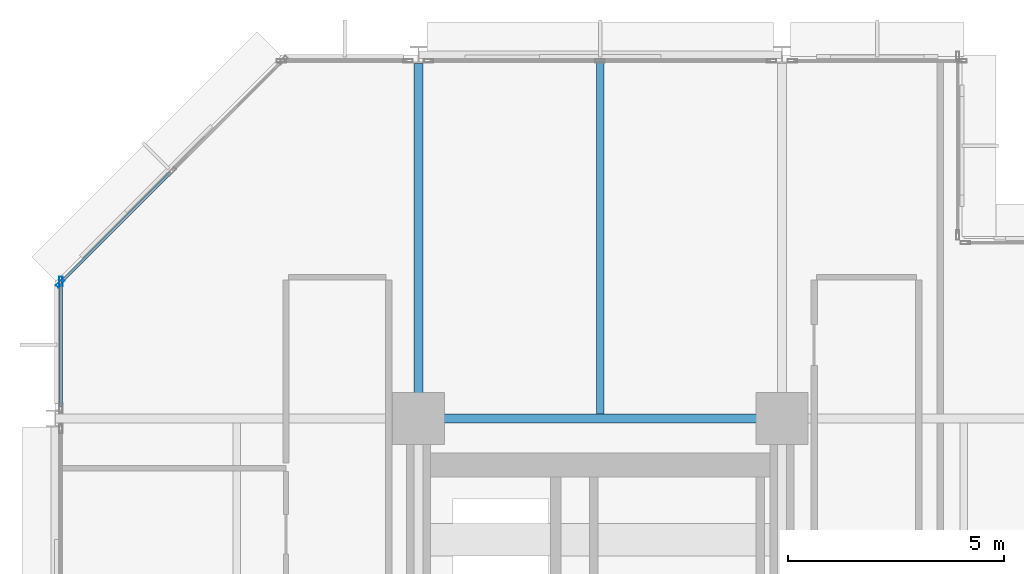
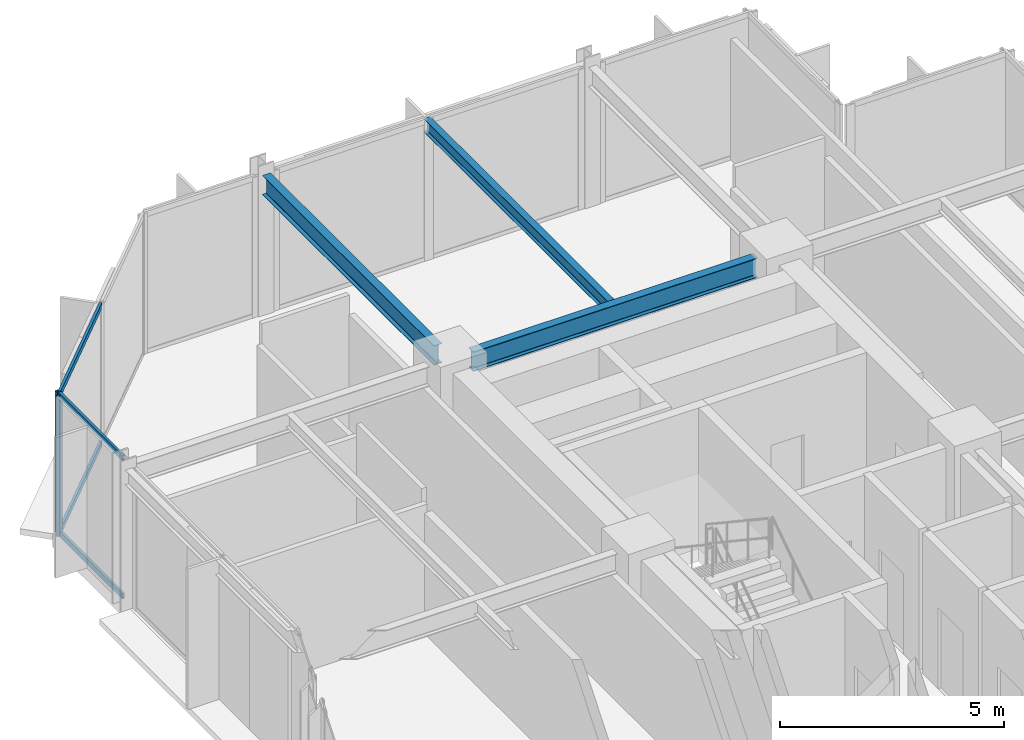
# One storey, part 13 of 25: 6 members, 3 beams, 2 elements without a shape of their own.
"""IFC4 building model written with IfcOpenShell, lengths in metres."""

from ifc_helpers import new_model, si_unit, direction, frame, origin, origin_2d, place, context, subcontext, project, spatial, hollow_rectangle, i_section, extrude, material, layer, layer_set, material_profile, profile_set, type_object, element, aggregate, save


model = new_model("IFC4")

# Units and contexts
model_context = context("Model", 3, precision=1e-05, world=origin(), true_north=direction((0.0, 1.0)))
body_context = subcontext(model_context, "Body", "Model", "MODEL_VIEW")
ifc_project = project(units=[si_unit("LENGTHUNIT", "METRE"), si_unit("AREAUNIT", "SQUARE_METRE"), si_unit("VOLUMEUNIT", "CUBIC_METRE"), si_unit("PLANEANGLEUNIT", "RADIAN"), si_unit("MASSUNIT", "GRAM", prefix="KILO")], contexts=[model_context])

# Site, building, storey
site_placement = place(None, origin())
site = spatial("IfcSite", under=ifc_project, at=site_placement, CompositionType="ELEMENT")
building_placement = place(site_placement, origin())
building = spatial("IfcBuilding", under=site, at=building_placement, Name="Nerrivon Quay Data Exchange", CompositionType="ELEMENT")
storey_placement = place(building_placement, frame((0.0, 0.0, 113.10009765625)))
storey = spatial("IfcBuildingStorey", under=building, at=storey_placement, Name="L26", CompositionType="ELEMENT", Elevation=113.10009765625)

# Beams
ifc_material_1 = material(Name="Steel Grade 350", Category="steel")
ifc_material_profile_1 = material_profile(ifc_material_1, i_section(OverallWidth=0.208984375, OverallDepth=0.532958984375, WebThickness=0.01025390625, FlangeThickness=0.015625, FilletRadius=0.013916015625, at=origin_2d()), Name="530UB92.4")
ifc_profile_set_1 = profile_set([ifc_material_profile_1], Name="Steel Grade 350")
beam_type_1 = type_object("IfcBeamType", Name="BM-G3-530UB92", PredefinedType="BEAM", material=ifc_profile_set_1)
beam_1_placement = place(storey_placement, frame((8.93994140625, 42.0, 3.558349609375), z_axis=(1.0, 0.0, 0.0), x_axis=(0.0, 1.0, 0.0)))
element("IfcBeam", 1, at=beam_1_placement, inside=storey, type_object=beam_type_1, Name="L26 EW Girder Y=42.0 (8.4..16.8)", PredefinedType="BEAM", context=body_context, shape_type="SweptSolid", body=[
    extrude(i_section(OverallWidth=0.208984375, OverallDepth=0.532958984375, WebThickness=0.01025390625, FlangeThickness=0.015625, FilletRadius=0.013916015625, at=origin_2d()), origin(), (0.0, 0.0, 1.0), 7.320068359375),
])
ifc_material_profile_2 = material_profile(ifc_material_1, i_section(OverallWidth=0.208984375, OverallDepth=0.528076171875, WebThickness=0.009521484375, FlangeThickness=0.01318359375, FilletRadius=0.013916015625, at=origin_2d()), Name="530UB82.0")
ifc_profile_set_2 = profile_set([ifc_material_profile_2], Name="Steel Grade 350")
beam_type_2 = type_object("IfcBeamType", Name="BM-G4-530UB82", PredefinedType="BEAM", material=ifc_profile_set_2)
beam_2_placement = place(storey_placement, frame((8.39990234375, 42.5400390625, 3.560791015625), z_axis=(0.0, 1.0, 0.0), x_axis=(-1.0, 0.0, 0.0)))
element("IfcBeam", 2, at=beam_2_placement, inside=storey, type_object=beam_type_2, Name="L26 NS Girder X=8.4 (42.0..50.4)", PredefinedType="BEAM", context=body_context, shape_type="SweptSolid", body=[
    extrude(i_section(OverallWidth=0.208984375, OverallDepth=0.528076171875, WebThickness=0.009521484375, FlangeThickness=0.01318359375, FilletRadius=0.013916015625, at=origin_2d()), origin(), (0.0, 0.0, 1.0), 7.659912109375),
])
ifc_material_profile_3 = material_profile(ifc_material_1, i_section(OverallWidth=0.1708984375, OverallDepth=0.35595703125, WebThickness=0.00732421875, FlangeThickness=0.011474609375, FilletRadius=0.011474609375, at=origin_2d()), Name="360UB50.7")
ifc_profile_set_3 = profile_set([ifc_material_profile_3], Name="Steel Grade 350")
beam_type_3 = type_object("IfcBeamType", Name="BM-J4-360UB51", PredefinedType="JOIST", material=ifc_profile_set_3)
beam_3_placement = place(storey_placement, frame((12.60009765625, 42.1044921875, 3.64697265625), z_axis=(0.0, 1.0, 0.0), x_axis=(-1.0, 0.0, 0.0)))
element("IfcBeam", 3, at=beam_3_placement, inside=storey, type_object=beam_type_3, Name="L26 Secondary Joist X=12.6 (42.0..50.4)", PredefinedType="JOIST", context=body_context, shape_type="SweptSolid", body=[
    extrude(i_section(OverallWidth=0.1708984375, OverallDepth=0.35595703125, WebThickness=0.00732421875, FlangeThickness=0.011474609375, FilletRadius=0.011474609375, at=origin_2d()), origin(), (0.0, 0.0, 1.0), 8.20654296875),
])

# Curtain wall, member
ifc_material_2 = material(Name="Anodised aluminium 6063-T6", Category="aluminium")
ifc_layer = layer(ifc_material_2, 0.22998046875)
ifc_layer_set = layer_set([ifc_layer], Name="Anodised aluminium 6063-T6")
curtain_wall_type = type_object("IfcCurtainWallType", Name="CW-SYS-05", PredefinedType="NOTDEFINED", material=ifc_layer_set)
curtain_wall_1_placement = place(storey_placement, origin())
curtain_wall_1 = element("IfcCurtainWall", 4, at=curtain_wall_1_placement, inside=storey, type_object=curtain_wall_type, Name="L26 Unitised Curtain Wall 17", PredefinedType="NOTDEFINED")
ifc_material_profile_4 = material_profile(ifc_material_2, hollow_rectangle(XDim=0.074951171875, YDim=0.219970703125, WallThickness=0.00390625, at=origin_2d()), Name="ALU-MULL-220x75")
ifc_profile_set_4 = profile_set([ifc_material_profile_4], Name="Anodised aluminium 6063-T6")
member_type_1 = type_object("IfcMemberType", Name="CWM-220x75", PredefinedType="MULLION", material=ifc_profile_set_4)
member_1_placement = place(storey_placement, frame((0.139892578125, 45.16259765625, 0.0), z_axis=(0.0, 0.0, 1.0), x_axis=(-1.0, 0.0, 0.0)))
member_1 = element("IfcMember", 5, at=member_1_placement, type_object=member_type_1, Name="CW05 mullion 2", PredefinedType="MULLION", context=body_context, shape_type="SweptSolid", body=[
    extrude(hollow_rectangle(XDim=0.074951171875, YDim=0.219970703125, WallThickness=0.00390625, at=origin_2d()), origin(), (0.0, 0.0, 1.0), 3.824951171875),
])

curtain_wall_2_placement = place(storey_placement, origin())
curtain_wall_2 = element("IfcCurtainWall", 6, at=curtain_wall_2_placement, inside=storey, type_object=curtain_wall_type, Name="L26 Unitised Curtain Wall 18", PredefinedType="NOTDEFINED")
member_2_placement = place(storey_placement, frame((0.12548828125, 45.12744140625, 0.0), z_axis=(0.0, 0.0, 1.0), x_axis=(-0.707106781187, 0.707106781187, 0.0)))
member_2 = element("IfcMember", 7, at=member_2_placement, type_object=member_type_1, Name="CW05 mullion 1", PredefinedType="MULLION", context=body_context, shape_type="SweptSolid", body=[
    extrude(hollow_rectangle(XDim=0.074951171875, YDim=0.219970703125, WallThickness=0.00390625, at=origin_2d()), origin(), (0.0, 0.0, 1.0), 3.824951171875),
])

# Member
ifc_material_profile_5 = material_profile(ifc_material_2, hollow_rectangle(XDim=0.06494140625, YDim=0.14990234375, WallThickness=0.00341796875, at=origin_2d()), Name="ALU-TRAN-150x65")
ifc_profile_set_5 = profile_set([ifc_material_profile_5], Name="Anodised aluminium 6063-T6")
member_type_2 = type_object("IfcMemberType", Name="CWT-150x65", PredefinedType="USERDEFINED", material=ifc_profile_set_5)
member_3_placement = place(storey_placement, frame((0.139892578125, 42.27490234375, 0.032470703125), z_axis=(0.0, 1.0, 0.0), x_axis=(-1.0, 0.0, 0.0)))
member_3 = element("IfcMember", 8, at=member_3_placement, type_object=member_type_2, Name="CW05 transom 1.1", ObjectType="TRANSOM", PredefinedType="USERDEFINED", context=body_context, shape_type="SweptSolid", body=[
    extrude(hollow_rectangle(XDim=0.06494140625, YDim=0.14990234375, WallThickness=0.00341796875, at=origin_2d()), origin(), (0.0, 0.0, 1.0), 2.85009765625),
])

member_4_placement = place(storey_placement, frame((0.139892578125, 42.27490234375, 3.79248046875), z_axis=(0.0, 1.0, 0.0), x_axis=(-1.0, 0.0, 0.0)))
member_4 = element("IfcMember", 9, at=member_4_placement, type_object=member_type_2, Name="CW05 transom 1.2", ObjectType="TRANSOM", PredefinedType="USERDEFINED", context=body_context, shape_type="SweptSolid", body=[
    extrude(hollow_rectangle(XDim=0.06494140625, YDim=0.14990234375, WallThickness=0.00341796875, at=origin_2d()), origin(), (0.0, 0.0, 1.0), 2.85009765625),
])

aggregate(curtain_wall_1, [member_1, member_3, member_4])

member_5_placement = place(storey_placement, frame((0.152099609375, 45.154052734375, 0.032470703125), z_axis=(0.707072532923, 0.707141027792, 0.0), x_axis=(-0.707141027792, 0.707072532923, 0.0)))
member_5 = element("IfcMember", 10, at=member_5_placement, type_object=member_type_2, Name="CW05 transom 1.1", ObjectType="TRANSOM", PredefinedType="USERDEFINED", context=body_context, shape_type="SweptSolid", body=[
    extrude(hollow_rectangle(XDim=0.06494140625, YDim=0.14990234375, WallThickness=0.00341796875, at=origin_2d()), origin(), (0.0, 0.0, 1.0), 3.564453125),
])

member_6_placement = place(storey_placement, frame((0.152099609375, 45.154052734375, 3.79248046875), z_axis=(0.707072532923, 0.707141027792, 0.0), x_axis=(-0.707141027792, 0.707072532923, 0.0)))
member_6 = element("IfcMember", 11, at=member_6_placement, type_object=member_type_2, Name="CW05 transom 1.2", ObjectType="TRANSOM", PredefinedType="USERDEFINED", context=body_context, shape_type="SweptSolid", body=[
    extrude(hollow_rectangle(XDim=0.06494140625, YDim=0.14990234375, WallThickness=0.00341796875, at=origin_2d()), origin(), (0.0, 0.0, 1.0), 3.564453125),
])

aggregate(curtain_wall_2, [member_2, member_5, member_6])

save(model, "model.ifc")
